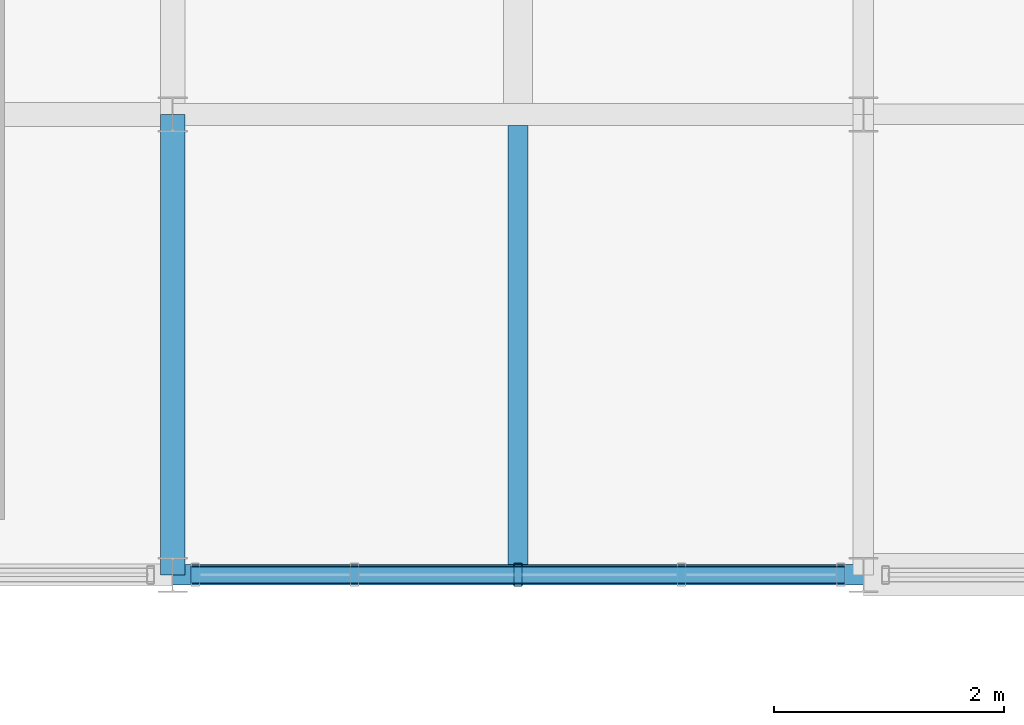
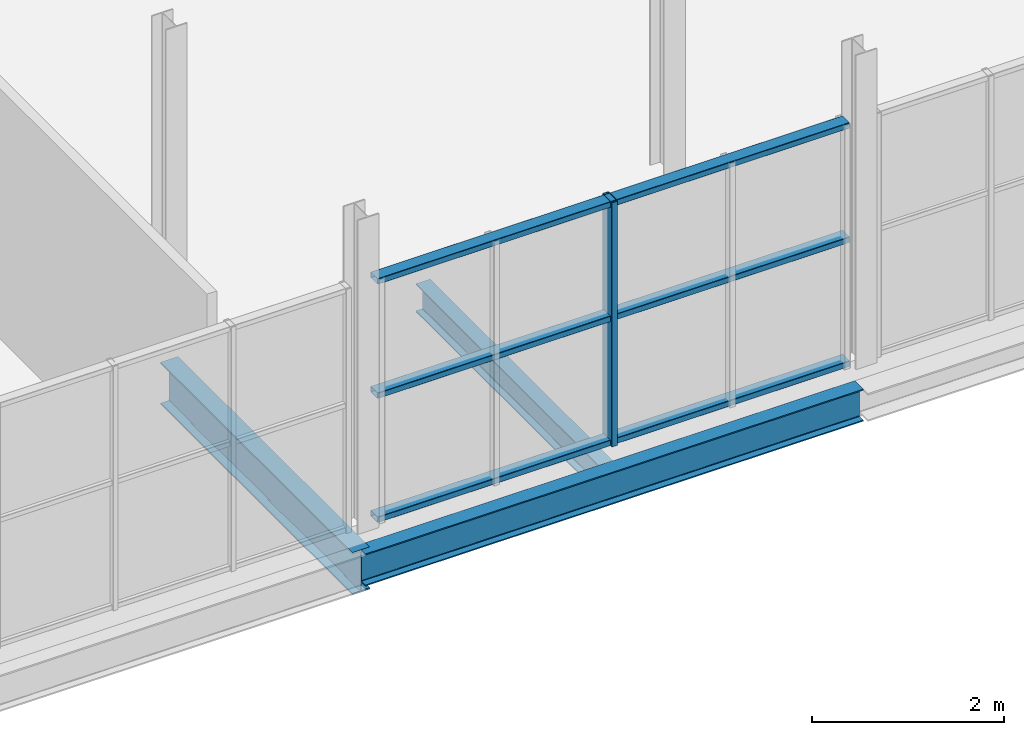
# One storey, part 60 of 96: 4 members, 3 beams, 1 element without a shape of its own.
"""IFC4 building model written with IfcOpenShell, lengths in metres."""

from ifc_helpers import new_model, si_unit, direction, frame, origin, origin_2d, place, context, subcontext, project, spatial, hollow_rectangle, i_section, extrude, material, material_profile, profile_set, type_object, element, aggregate, save


model = new_model("IFC4")

# Units and contexts
model_context = context("Model", 3, precision=1e-05, world=origin(), true_north=direction((0.0, 1.0)))
body_context = subcontext(model_context, "Body", "Model", "MODEL_VIEW")
ifc_project = project(units=[si_unit("LENGTHUNIT", "METRE"), si_unit("AREAUNIT", "SQUARE_METRE"), si_unit("VOLUMEUNIT", "CUBIC_METRE"), si_unit("PLANEANGLEUNIT", "RADIAN"), si_unit("MASSUNIT", "GRAM", prefix="KILO")], contexts=[model_context])

# Site, building, storey
site_placement = place(None, origin())
site = spatial("IfcSite", under=ifc_project, at=site_placement, CompositionType="ELEMENT")
building_placement = place(site_placement, origin())
building = spatial("IfcBuilding", under=site, at=building_placement, Name="Verrall Gate Interchange", CompositionType="ELEMENT")
storey_placement = place(building_placement, frame((0.0, 0.0, 11.39990234375)))
storey = spatial("IfcBuildingStorey", under=building, at=storey_placement, Name="L03", CompositionType="ELEMENT", Elevation=11.39990234375)

# Beams
ifc_material_1 = material(Name="Structural Steel CSA G40.21 350W", Category="steel")
ifc_material_profile_1 = material_profile(ifc_material_1, i_section(OverallWidth=0.2109375, OverallDepth=0.5390625, WebThickness=0.01171875, FlangeThickness=0.018798828125, FilletRadius=0.013916015625, at=origin_2d()), Name="W530x109")
ifc_profile_set_1 = profile_set([ifc_material_profile_1], Name="Structural Steel CSA G40.21 350W")
beam_type_1 = type_object("IfcBeamType", Name="B-10 Structural Beam W530x109", PredefinedType="BEAM", material=ifc_profile_set_1)
beam_1_placement = place(storey_placement, frame((156.0, 12.0, -0.599365234375), z_axis=(0.0, 1.0, 0.0), x_axis=(-1.0, 0.0, 0.0)))
element("IfcBeam", 1, at=beam_1_placement, inside=storey, type_object=beam_type_1, Name="L03 Girder BM-L03-2355 (B-10)", PredefinedType="BEAM", context=body_context, shape_type="SweptSolid", body=[
    extrude(i_section(OverallWidth=0.2109375, OverallDepth=0.5390625, WebThickness=0.01171875, FlangeThickness=0.018798828125, FilletRadius=0.013916015625, at=origin_2d()), origin(), (0.0, 0.0, 1.0), 4.0),
])
ifc_material_2 = material(Name="Structural Steel CSA G40.21 350W", Category="steel")
ifc_material_profile_2 = material_profile(ifc_material_2, i_section(OverallWidth=0.178955078125, OverallDepth=0.409912109375, WebThickness=0.0087890625, FlangeThickness=0.014404296875, FilletRadius=0.011962890625, at=origin_2d()), Name="W410x67")
ifc_profile_set_2 = profile_set([ifc_material_profile_2], Name="Structural Steel CSA G40.21 350W")
beam_type_2 = type_object("IfcBeamType", Name="B-12 Structural Beam W410x67", PredefinedType="BEAM", material=ifc_profile_set_2)
beam_2_placement = place(storey_placement, frame((156.0, 12.0, -0.534912109375), z_axis=(1.0, 0.0, 0.0), x_axis=(0.0, 1.0, 0.0)))
element("IfcBeam", 2, at=beam_2_placement, inside=storey, type_object=beam_type_2, Name="L03 Girder BM-L03-2025 (B-12)", PredefinedType="BEAM", context=body_context, shape_type="SweptSolid", body=[
    extrude(i_section(OverallWidth=0.178955078125, OverallDepth=0.409912109375, WebThickness=0.0087890625, FlangeThickness=0.014404296875, FilletRadius=0.011962890625, at=origin_2d()), origin(), (0.0, 0.0, 1.0), 6.0),
])

# Curtain wall, members
ifc_material_3 = material(Name="Thermally Broken Anodized Aluminium Curtain Wall Framing", Category="aluminium")
curtain_wall_type = type_object("IfcCurtainWallType", Name="CW-31 Unitized Curtain Wall 5682x3110", PredefinedType="NOTDEFINED", material=ifc_material_3)
curtain_wall_placement = place(storey_placement, origin())
curtain_wall = element("IfcCurtainWall", 3, at=curtain_wall_placement, inside=storey, type_object=curtain_wall_type, Name="L03 Unitized Curtain Wall CW-L03-113", PredefinedType="NOTDEFINED")
ifc_material_4 = material(Name="Thermally Broken Anodized Aluminium Curtain Wall Framing", Category="aluminium")
ifc_material_profile_3 = material_profile(ifc_material_4, hollow_rectangle(XDim=0.074951171875, YDim=0.199951171875, WallThickness=0.0048828125, InnerFilletRadius=0.0048828125, OuterFilletRadius=0.010009765625, at=origin_2d()), Name="CWM200x75x5")
ifc_profile_set_3 = profile_set([ifc_material_profile_3], Name="Thermally Broken Anodized Aluminium Curtain Wall Framing")
member_type_1 = type_object("IfcMemberType", Name="CM-02 Curtain Mullion CWM200x75x5", PredefinedType="MULLION", material=ifc_profile_set_3)
member_1_placement = place(storey_placement, frame((159.0, 12.0, 0.0), z_axis=(0.0, 0.0, 1.0), x_axis=(1.0, 0.0, 0.0)))
member_1 = element("IfcMember", 4, at=member_1_placement, type_object=member_type_1, Name="CW-L03-113 Mullion 3", PredefinedType="MULLION", context=body_context, shape_type="SweptSolid", body=[
    extrude(hollow_rectangle(XDim=0.074951171875, YDim=0.199951171875, WallThickness=0.0048828125, InnerFilletRadius=0.0048828125, OuterFilletRadius=0.010009765625, at=origin_2d()), origin(), (0.0, 0.0, 1.0), 3.110107421875),
])
ifc_material_5 = material(Name="Thermally Broken Anodized Aluminium Curtain Wall Framing", Category="aluminium")
ifc_material_profile_4 = material_profile(ifc_material_5, hollow_rectangle(XDim=0.14990234375, YDim=0.074951171875, WallThickness=0.00439453125, InnerFilletRadius=0.00439453125, OuterFilletRadius=0.009033203125, at=origin_2d()), Name="CWT150x75x4.5")
ifc_profile_set_4 = profile_set([ifc_material_profile_4], Name="Thermally Broken Anodized Aluminium Curtain Wall Framing")
member_type_2 = type_object("IfcMemberType", Name="CT-02 Curtain Transom CWT150x75x4.5", PredefinedType="USERDEFINED", material=ifc_profile_set_4)
member_2_placement = place(storey_placement, frame((156.158935546875, 12.0, 0.03759765625), z_axis=(1.0, 0.0, 0.0), x_axis=(0.0, 1.0, 0.0)))
member_2 = element("IfcMember", 5, at=member_2_placement, type_object=member_type_2, Name="CW-L03-113 Transom 1", ObjectType="TRANSOM", PredefinedType="USERDEFINED", context=body_context, shape_type="SweptSolid", body=[
    extrude(hollow_rectangle(XDim=0.14990234375, YDim=0.074951171875, WallThickness=0.00439453125, InnerFilletRadius=0.00439453125, OuterFilletRadius=0.009033203125, at=origin_2d()), origin(), (0.0, 0.0, 1.0), 5.68212890625),
])
member_3_placement = place(storey_placement, frame((156.158935546875, 12.0, 1.6171875), z_axis=(1.0, 0.0, 0.0), x_axis=(0.0, 1.0, 0.0)))
member_3 = element("IfcMember", 6, at=member_3_placement, type_object=member_type_2, Name="CW-L03-113 Transom 2", ObjectType="TRANSOM", PredefinedType="USERDEFINED", context=body_context, shape_type="SweptSolid", body=[
    extrude(hollow_rectangle(XDim=0.14990234375, YDim=0.074951171875, WallThickness=0.00439453125, InnerFilletRadius=0.00439453125, OuterFilletRadius=0.009033203125, at=origin_2d()), origin(), (0.0, 0.0, 1.0), 5.68212890625),
])
member_4_placement = place(storey_placement, frame((156.158935546875, 12.0, 3.072509765625), z_axis=(1.0, 0.0, 0.0), x_axis=(0.0, 1.0, 0.0)))
member_4 = element("IfcMember", 7, at=member_4_placement, type_object=member_type_2, Name="CW-L03-113 Transom 3", ObjectType="TRANSOM", PredefinedType="USERDEFINED", context=body_context, shape_type="SweptSolid", body=[
    extrude(hollow_rectangle(XDim=0.14990234375, YDim=0.074951171875, WallThickness=0.00439453125, InnerFilletRadius=0.00439453125, OuterFilletRadius=0.009033203125, at=origin_2d()), origin(), (0.0, 0.0, 1.0), 5.68212890625),
])
aggregate(curtain_wall, [member_1, member_2, member_3, member_4])

# Beam
ifc_material_6 = material(Name="Structural Steel CSA G40.21 350W", Category="steel")
ifc_material_profile_5 = material_profile(ifc_material_6, i_section(OverallWidth=0.172119140625, OverallDepth=0.35791015625, WebThickness=0.0078125, FlangeThickness=0.01318359375, FilletRadius=0.010986328125, at=origin_2d()), Name="W360x57")
ifc_profile_set_5 = profile_set([ifc_material_profile_5], Name="Structural Steel CSA G40.21 350W")
beam_type_3 = type_object("IfcBeamType", Name="J-01 Floor Joist W360x57", PredefinedType="JOIST", material=ifc_profile_set_5)
beam_3_placement = place(storey_placement, frame((159.0, 12.089599609375, -0.5087890625), z_axis=(0.0, 1.0, 0.0), x_axis=(-1.0, 0.0, 0.0)))
element("IfcBeam", 8, at=beam_3_placement, inside=storey, type_object=beam_type_3, Name="L03 Secondary Floor Joist JST-L03-2422", PredefinedType="JOIST", context=body_context, shape_type="SweptSolid", body=[
    extrude(i_section(OverallWidth=0.172119140625, OverallDepth=0.35791015625, WebThickness=0.0078125, FlangeThickness=0.01318359375, FilletRadius=0.010986328125, at=origin_2d()), origin(), (0.0, 0.0, 1.0), 3.814453125),
])

save(model, "model.ifc")
